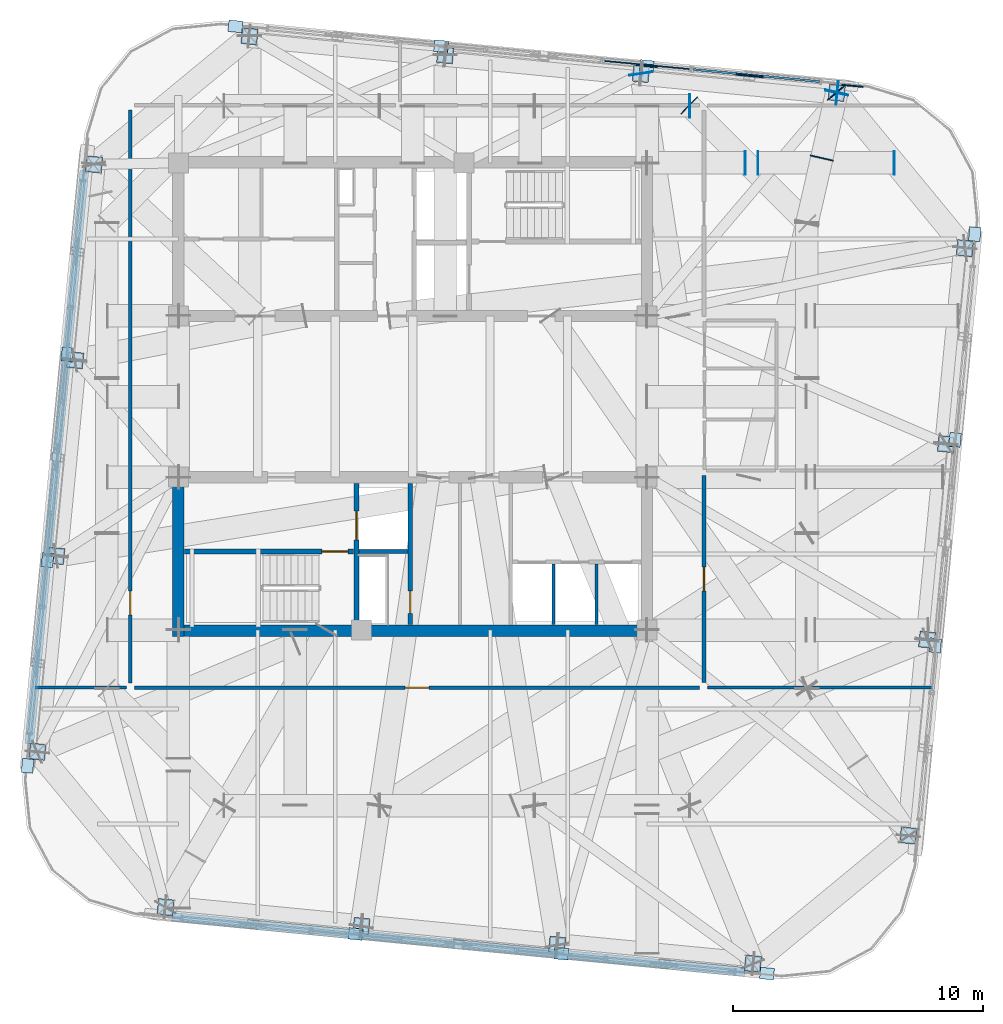
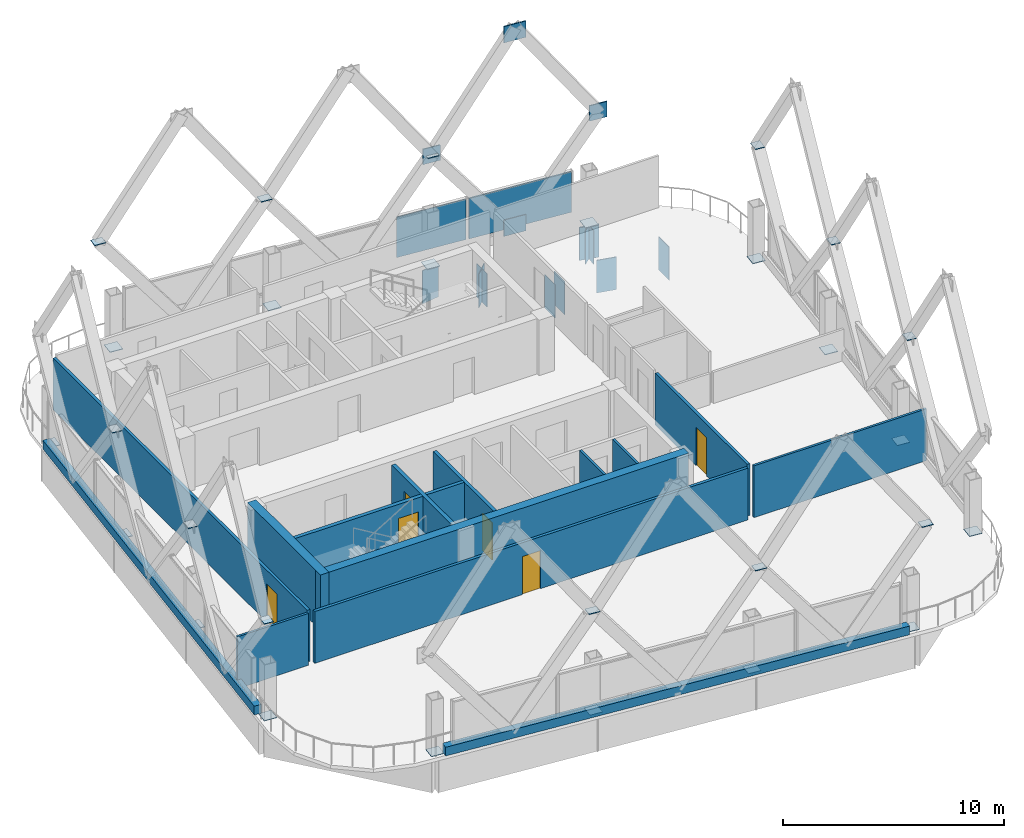
# One storey, part 25 of 31: 45 plates, 15 walls, 6 doors, 6 openings, 2 elements without a shape of their own.
"""IFC4 building model written with IfcOpenShell, lengths in metres."""

from ifc_helpers import new_model, si_unit, direction, frame, frame_2d, origin, origin_2d, place, context, subcontext, project, spatial, rectangle, extrude, material, layer, layer_set, type_object, element, fill, aggregate, save


model = new_model("IFC4")

# Units and contexts
model_context = context("Model", 3, precision=1e-05, world=origin(), true_north=direction((0.0, 1.0)))
body_context = subcontext(model_context, "Body", "Model", "MODEL_VIEW")
ifc_project = project(units=[si_unit("LENGTHUNIT", "METRE"), si_unit("AREAUNIT", "SQUARE_METRE"), si_unit("VOLUMEUNIT", "CUBIC_METRE"), si_unit("PLANEANGLEUNIT", "RADIAN"), si_unit("MASSUNIT", "GRAM", prefix="KILO")], contexts=[model_context])

# Site, building, storey
site_placement = place(None, origin())
site = spatial("IfcSite", under=ifc_project, at=site_placement, CompositionType="ELEMENT")
building_placement = place(site_placement, origin())
building = spatial("IfcBuilding", under=site, at=building_placement, Name="Qhalaya Broadcast Tower", CompositionType="ELEMENT")
storey_placement = place(building_placement, frame((0.0, 0.0, 242.85009765625)))
storey = spatial("IfcBuildingStorey", under=building, at=storey_placement, Name="L71", CompositionType="ELEMENT", Elevation=242.85009765625)

# Plates
ifc_material_1 = material(Name="Structural Steel ASTM A572 Grade 50", Category="steel")
ifc_layer_1 = layer(ifc_material_1, 0.054931640625, Name="Structural Steel ASTM A572 Grade 50")
ifc_layer_set_1 = layer_set([ifc_layer_1], Name="Structural Steel ASTM A572 Grade 50")
plate_type_1 = type_object("IfcPlateType", Name="Exoskeleton Diamond Node Gusset Plate NP-01", PredefinedType="USERDEFINED", material=ifc_layer_set_1)
for number, where, z_axis, x_axis, name in (
    (1, (13.478515625, 13.425537109375, 0.2099609375), (0.0, 0.0, 1.0), (0.995396198367, -0.09584575252, 0.0), "Exoskeleton Diamond Node B6-N1-BOT"),
    (2, (13.478515625, 13.425537109375, 10.8798828125), (0.0, 0.0, 1.0), (0.995396198367, -0.09584575252, 0.0), "Exoskeleton Diamond Node B6-N1-TOP"),
):
    element("IfcPlate", number, at=place(storey_placement, frame(where, z_axis=z_axis, x_axis=x_axis)), inside=storey, type_object=plate_type_1, Name=name, ObjectType="GUSSET_PLATE", PredefinedType="USERDEFINED", context=body_context, shape_type="SweptSolid", body=[
        extrude(rectangle(XDim=1.10009765625, YDim=0.054931640625, at=origin_2d()), origin(), (0.0, 0.0, 1.0), 0.89990234375),
    ])
for number, where, z_axis, x_axis, name in (
    (3, (17.5927734375, 13.029296875, 5.329833984375), (0.0, 0.0, 1.0), (0.995396198367, -0.09584575252, 0.0), "Exoskeleton Diamond Node B6-N1-MDL"),
    (4, (9.3642578125, 13.82177734375, 5.329833984375), (0.0, 0.0, 1.0), (0.995396198367, -0.09584575252, 0.0), "Exoskeleton Diamond Node B6-N2-MDL"),
):
    element("IfcPlate", number, at=place(storey_placement, frame(where, z_axis=z_axis, x_axis=x_axis)), inside=storey, type_object=plate_type_1, Name=name, ObjectType="GUSSET_PLATE", PredefinedType="USERDEFINED", context=body_context, shape_type="SweptSolid", body=[
        extrude(rectangle(XDim=0.85009765625, YDim=0.054931640625, at=origin_2d()), origin(), (0.0, 0.0, 1.0), 0.85009765625),
    ])
ifc_layer_2 = layer(ifc_material_1, 0.4599609375, Name="Structural Steel ASTM A572 Grade 50")
ifc_layer_set_2 = layer_set([ifc_layer_2], Name="Structural Steel ASTM A572 Grade 50")
plate_type_2 = type_object("IfcPlateType", Name="Hollow Box Member End Cap Plate CP-01", PredefinedType="USERDEFINED", material=ifc_layer_set_2)
for number, where, z_axis, x_axis, name in (
    (5, (16.952880859375, 12.7607421875, -2.01025390625), (0.0, 0.0, 1.0), (-0.771624583388, -0.636078220278, 0.0), "L71 Hollow Girder End Cap L71-SPR-08-B"),
    (6, (16.97900390625, 12.7470703125, -2.01025390625), (0.0, 0.0, 1.0), (-0.095828379565, -0.99539787104, 0.0), "L71 Hollow Girder End Cap L71-SPR-09-A"),
    (7, (11.05859375, 12.2412109375, -2.01025390625), (0.0, 0.0, 1.0), (-0.707106781187, -0.707106781187, 0.0), "L71 Hollow Girder End Cap L71-TGL-08-B"),
    (8, (11.0859375, 12.22998046875, -2.01025390625), (0.0, 0.0, 1.0), (0.0, -1.0, 0.0), "L71 Hollow Girder End Cap L71-TGL-09-A"),
    (9, (13.309326171875, 9.949951171875, -2.01025390625), (0.0, 0.0, 1.0), (0.0, 1.0, 0.0), "L71 Hollow Girder End Cap L71-TGIY4E-1-B"),
    (10, (16.966552734375, 12.76416015625, -2.01025390625), (0.0, 0.0, 1.0), (-0.974850733991, 0.222858803812, 0.0), "L71 Hollow Girder End Cap L71-TGC-09-B"),
):
    element("IfcPlate", number, at=place(storey_placement, frame(where, z_axis=z_axis, x_axis=x_axis)), inside=storey, type_object=plate_type_2, Name=name, ObjectType="COVER_PLATE", PredefinedType="USERDEFINED", context=body_context, shape_type="SweptSolid", body=[
        extrude(rectangle(XDim=0.93994140625, YDim=0.031982421875, at=origin_2d()), origin(), (0.0, 0.0, 1.0), 1.840087890625),
    ])
plate_1_placement = place(storey_placement, frame((16.962890625, 12.74853515625, -1.990234375), z_axis=(0.0, 0.0, 1.0), x_axis=(-0.974850733991, 0.222858803812, 0.0)))
element("IfcPlate", 11, at=plate_1_placement, inside=storey, type_object=plate_type_2, Name="L71 Transfer Box End Cap 09", ObjectType="COVER_PLATE", PredefinedType="USERDEFINED", context=body_context, shape_type="SweptSolid", body=[
    extrude(rectangle(XDim=0.919921875, YDim=0.035888671875, at=origin_2d()), origin(), (0.0, 0.0, 1.0), 1.800048828125),
])
for number, where, z_axis, x_axis, name in (
    (12, (9.130126953125, 13.518310546875, -2.01025390625), (0.0, 0.0, 1.0), (-0.988609755291, -0.150501666909, 0.0), "L71 Hollow Girder End Cap L71-TGA-10-B"),
    (13, (13.814697265625, 9.949951171875, -2.01025390625), (0.0, 0.0, 1.0), (0.0, 1.0, 0.0), "L71 Hollow Girder End Cap L71-PGYE4-OV1-A"),
    (14, (19.260009765625, 9.949951171875, -2.01025390625), (0.0, 0.0, 1.0), (0.0, 1.0, 0.0), "L71 Hollow Girder End Cap L71-PGYE4-OV1-B"),
):
    element("IfcPlate", number, at=place(storey_placement, frame(where, z_axis=z_axis, x_axis=x_axis)), inside=storey, type_object=plate_type_2, Name=name, ObjectType="COVER_PLATE", PredefinedType="USERDEFINED", context=body_context, shape_type="SweptSolid", body=[
        extrude(rectangle(XDim=0.93994140625, YDim=0.031982421875, at=origin_2d()), origin(), (0.0, 0.0, 1.0), 1.840087890625),
    ])
for number, where, z_axis, x_axis, name in (
    (15, (-9.883056640625, -19.82861328125, -0.0322265625), (0.0, 0.0, 1.0), (0.995396198367, -0.09584575252, 0.0), "L71 Hollow Box Column Base Cap Plate COL-EX01"),
    (16, (-2.052490234375, -20.58251953125, -0.0322265625), (0.0, 0.0, 1.0), (0.995396198367, -0.09584575252, 0.0), "L71 Hollow Box Column Base Cap Plate COL-EX02"),
    (17, (5.77783203125, -21.33642578125, -0.0322265625), (0.0, 0.0, 1.0), (0.995396198367, -0.09584575252, 0.0), "L71 Hollow Box Column Base Cap Plate COL-EX03"),
    (18, (13.6083984375, -22.09033203125, -0.0322265625), (0.0, 0.0, 1.0), (0.995396198367, -0.09584575252, 0.0), "L71 Hollow Box Column Base Cap Plate COL-EX04"),
    (19, (19.82861328125, -16.962890625, -0.0322265625), (0.0, 0.0, 1.0), (0.09584575252, 0.995396198367, 0.0), "L71 Hollow Box Column Base Cap Plate COL-EX05"),
    (20, (20.58251953125, -9.132568359375, -0.0322265625), (0.0, 0.0, 1.0), (0.09584575252, 0.995396198367, 0.0), "L71 Hollow Box Column Base Cap Plate COL-EX06"),
    (21, (21.33642578125, -1.302001953125, -0.0322265625), (0.0, 0.0, 1.0), (0.09584575252, 0.995396198367, 0.0), "L71 Hollow Box Column Base Cap Plate COL-EX07"),
    (22, (22.09033203125, 6.5283203125, -0.0322265625), (0.0, 0.0, 1.0), (0.09584575252, 0.995396198367, 0.0), "L71 Hollow Box Column Base Cap Plate COL-EX08"),
    (23, (16.962890625, 12.74853515625, -0.0322265625), (0.0, 0.0, 1.0), (0.995396198367, -0.09584575252, 0.0), "L71 Hollow Box Column Base Cap Plate COL-EX09"),
    (24, (9.132568359375, 13.50244140625, -0.0322265625), (0.0, 0.0, 1.0), (0.995396198367, -0.09584575252, 0.0), "L71 Hollow Box Column Base Cap Plate COL-EX10"),
    (25, (1.302001953125, 14.25634765625, -0.0322265625), (0.0, 0.0, 1.0), (0.995396198367, -0.09584575252, 0.0), "L71 Hollow Box Column Base Cap Plate COL-EX11"),
    (26, (-6.5283203125, 15.010498046875, -0.0322265625), (0.0, 0.0, 1.0), (0.995396198367, -0.09584575252, 0.0), "L71 Hollow Box Column Base Cap Plate COL-EX12"),
    (27, (-12.74853515625, 9.883056640625, -0.0322265625), (0.0, 0.0, 1.0), (0.09584575252, 0.995396198367, 0.0), "L71 Hollow Box Column Base Cap Plate COL-EX13"),
    (28, (-13.50244140625, 2.052490234375, -0.0322265625), (0.0, 0.0, 1.0), (0.09584575252, 0.995396198367, 0.0), "L71 Hollow Box Column Base Cap Plate COL-EX14"),
    (29, (-14.25634765625, -5.77783203125, -0.0322265625), (0.0, 0.0, 1.0), (0.09584575252, 0.995396198367, 0.0), "L71 Hollow Box Column Base Cap Plate COL-EX15"),
    (30, (-15.010498046875, -13.6083984375, -0.0322265625), (0.0, 0.0, 1.0), (0.09584575252, 0.995396198367, 0.0), "L71 Hollow Box Column Base Cap Plate COL-EX16"),
):
    element("IfcPlate", number, at=place(storey_placement, frame(where, z_axis=z_axis, x_axis=x_axis)), inside=storey, type_object=plate_type_2, Name=name, ObjectType="COVER_PLATE", PredefinedType="USERDEFINED", context=body_context, shape_type="SweptSolid", body=[
        extrude(rectangle(XDim=0.639892578125, YDim=0.639892578125, at=origin_2d()), origin(), (0.0, 0.0, 1.0), 0.031982421875),
    ])
for number, where, z_axis, x_axis, name in (
    (31, (-2.2841796875, -20.901611328125, 5.73876953125), (0.0, 0.0, 1.0), (0.995396198367, -0.09584575252, 0.0), "Exoskeleton Hollow End Cap B6-S1"),
    (32, (5.9443359375, -21.694091796875, 5.73876953125), (0.0, 0.0, 1.0), (0.995396198367, -0.09584575252, 0.0), "Exoskeleton Hollow End Cap B6-S2"),
    (33, (14.173095703125, -22.486328125, 5.73876953125), (0.0, 0.0, 1.0), (0.995396198367, -0.09584575252, 0.0), "Exoskeleton Hollow End Cap B6-S3"),
    (34, (20.901611328125, -9.3642578125, 5.73876953125), (0.0, 0.0, 1.0), (0.09584575252, 0.995396198367, 0.0), "Exoskeleton Hollow End Cap B6-E1"),
    (35, (21.694091796875, -1.135498046875, 5.73876953125), (0.0, 0.0, 1.0), (0.09584575252, 0.995396198367, 0.0), "Exoskeleton Hollow End Cap B6-E2"),
    (36, (22.486328125, 7.093017578125, 5.73876953125), (0.0, 0.0, 1.0), (0.09584575252, 0.995396198367, 0.0), "Exoskeleton Hollow End Cap B6-E3"),
    (37, (9.3642578125, 13.82177734375, 5.73876953125), (0.0, 0.0, 1.0), (0.995396198367, -0.09584575252, 0.0), "Exoskeleton Hollow End Cap B6-N1"),
    (38, (1.135498046875, 14.614013671875, 5.73876953125), (0.0, 0.0, 1.0), (0.995396198367, -0.09584575252, 0.0), "Exoskeleton Hollow End Cap B6-N2"),
    (39, (-7.093017578125, 15.406494140625, 5.73876953125), (0.0, 0.0, 1.0), (0.995396198367, -0.09584575252, 0.0), "Exoskeleton Hollow End Cap B6-N3"),
    (40, (-13.82177734375, 2.2841796875, 5.73876953125), (0.0, 0.0, 1.0), (0.09584575252, 0.995396198367, 0.0), "Exoskeleton Hollow End Cap B6-W1"),
    (41, (-14.614013671875, -5.9443359375, 5.73876953125), (0.0, 0.0, 1.0), (0.09584575252, 0.995396198367, 0.0), "Exoskeleton Hollow End Cap B6-W2"),
    (42, (-15.406494140625, -14.173095703125, 5.73876953125), (0.0, 0.0, 1.0), (0.09584575252, 0.995396198367, 0.0), "Exoskeleton Hollow End Cap B6-W3"),
):
    element("IfcPlate", number, at=place(storey_placement, frame(where, z_axis=z_axis, x_axis=x_axis)), inside=storey, type_object=plate_type_2, Name=name, ObjectType="COVER_PLATE", PredefinedType="USERDEFINED", context=body_context, shape_type="SweptSolid", body=[
        extrude(rectangle(XDim=0.56005859375, YDim=0.4599609375, at=origin_2d()), origin(), (0.0, 0.0, 1.0), 0.031982421875),
    ])

# Curtain wall, plate
ifc_material_2 = material(Name="Fired Architectural Terracotta", Category="masonry")
ifc_layer_3 = layer(ifc_material_2, 0.219970703125, Name="Fired Architectural Terracotta")
ifc_layer_set_3 = layer_set([ifc_layer_3], Name="Fired Architectural Terracotta")
curtain_wall_type_1 = type_object("IfcCurtainWallType", Name="Block-Cap Unitised Terracotta Spandrel Wall CW-07", PredefinedType="NOTDEFINED", material=ifc_layer_set_3)
curtain_wall_1_placement = place(storey_placement, origin())
curtain_wall_1 = element("IfcCurtainWall", 43, at=curtain_wall_1_placement, inside=storey, type_object=curtain_wall_type_1, Name="L71 Unitised Curtain Wall L71-CW-N1", PredefinedType="NOTDEFINED")
ifc_layer_4 = layer(ifc_material_2, 0.080078125, Name="Fired Architectural Terracotta")
ifc_layer_set_4 = layer_set([ifc_layer_4], Name="Fired Architectural Terracotta")
plate_type_3 = type_object("IfcPlateType", Name="Insulated Terracotta Spandrel Panel TSP-07", PredefinedType="CURTAIN_PANEL", material=ifc_layer_set_4)
plate_2_placement = place(storey_placement, frame((13.75146484375, 13.439453125, 0.554931640625), z_axis=(0.0, 0.0, 1.0), x_axis=(-0.995395942778, 0.095848406879, 0.0)))
plate_2 = element("IfcPlate", 44, at=plate_2_placement, type_object=plate_type_3, Name="CW-07 panel 1.1", PredefinedType="CURTAIN_PANEL", context=body_context, shape_type="SweptSolid", body=[
    extrude(rectangle(XDim=5.075927734375, YDim=0.080078125, at=origin_2d()), origin(), (0.0, 0.0, 1.0), 2.22998046875),
])
aggregate(curtain_wall_1, [plate_2])

ifc_material_3 = material(Name="Solar-Control Low-E Triple Glazing", Category="glass")
ifc_layer_5 = layer(ifc_material_3, 0.219970703125, Name="Solar-Control Low-E Triple Glazing")
ifc_layer_set_5 = layer_set([ifc_layer_5], Name="Solar-Control Low-E Triple Glazing")
curtain_wall_type_2 = type_object("IfcCurtainWallType", Name="High-Altitude Upper-Shaft Triple Low-E Curtain Wall CW-04", PredefinedType="NOTDEFINED", material=ifc_layer_set_5)
curtain_wall_2_placement = place(storey_placement, origin())
curtain_wall_2 = element("IfcCurtainWall", 45, at=curtain_wall_2_placement, inside=storey, type_object=curtain_wall_type_2, Name="L71 Unitised Curtain Wall L71-CW-N2", PredefinedType="NOTDEFINED")
ifc_layer_6 = layer(ifc_material_3, 0.0419921875, Name="Solar-Control Low-E Triple Glazing")
ifc_layer_set_6 = layer_set([ifc_layer_6], Name="Solar-Control Low-E Triple Glazing")
plate_type_4 = type_object("IfcPlateType", Name="Solar-Control Curtain Glazing Panel GLP-04", PredefinedType="CURTAIN_PANEL", material=ifc_layer_set_6)
plate_3_placement = place(storey_placement, frame((9.3681640625, 13.861572265625, 0.554931640625), z_axis=(0.0, 0.0, 1.0), x_axis=(-0.995397049282, 0.095836915023, 0.0)))
plate_3 = element("IfcPlate", 46, at=plate_3_placement, type_object=plate_type_4, Name="CW-04 panel 1.1", PredefinedType="CURTAIN_PANEL", context=body_context, shape_type="SweptSolid", body=[
    extrude(rectangle(XDim=3.43115234375, YDim=0.0419921875, at=origin_2d()), origin(), (0.0, 0.0, 1.0), 2.22998046875),
])
aggregate(curtain_wall_2, [plate_3])

# Plate
ifc_layer_7 = layer(ifc_material_1, 0.044921875, Name="Structural Steel ASTM A572 Grade 50")
ifc_layer_set_7 = layer_set([ifc_layer_7], Name="Structural Steel ASTM A572 Grade 50")
plate_type_5 = type_object("IfcPlateType", Name="Transfer Girder Web Stiffener Plate WS-01", PredefinedType="USERDEFINED", material=ifc_layer_set_7)
plate_4_placement = place(storey_placement, frame((16.366455078125, 10.139404296875, -1.990234375), z_axis=(0.0, 0.0, 1.0), x_axis=(-0.974850733991, 0.222858803812, 0.0)))
element("IfcPlate", 47, at=plate_4_placement, inside=storey, type_object=plate_type_5, Name="L71 Transfer Girder Stiffener 09", ObjectType="STIFFENER_PLATE", PredefinedType="USERDEFINED", context=body_context, shape_type="SweptSolid", body=[
    extrude(rectangle(XDim=0.93994140625, YDim=0.044921875, at=origin_2d()), origin(), (0.0, 0.0, 1.0), 1.800048828125),
])

# Wall, opening, door
ifc_material_4 = material(Name="Gypsum Acoustic Partition")
ifc_layer_8 = layer(ifc_material_4, 0.14990234375, Name="Gypsum Acoustic Partition")
ifc_layer_set_8 = layer_set([ifc_layer_8], Name="Gypsum Acoustic Partition")
wall_type_1 = type_object("IfcWallType", Name="Corridor & Tenancy Acoustic Partition 150", PredefinedType="PARTITIONING", material=ifc_layer_set_8)
wall_1_placement = place(storey_placement, frame((-11.1201171875, -11.050048828125, 0.0), z_axis=(0.0, 0.0, 1.0), x_axis=(1.0, 0.0, 0.0)))
wall_1 = element("IfcWall", 48, at=wall_1_placement, inside=storey, type_object=wall_type_1, Name="L71 Partition Wall W-COR-03", PredefinedType="PARTITIONING", context=body_context, shape_type="SweptSolid", body=[
    extrude(rectangle(XDim=22.590087890625, YDim=0.14990234375, at=frame_2d((11.294921875, 0.0))), origin(), (0.0, 0.0, 1.0), 2.85986328125),
])
opening_1_placement = place(wall_1_placement, frame((10.820068359375, 0.0, 0.0)))
opening_1 = element("IfcOpeningElement", 49, at=opening_1_placement, cuts=wall_1, Name="Opening D10", PredefinedType="OPENING", context=body_context, shape_type="SweptSolid", body=[
    extrude(rectangle(XDim=0.949951171875, YDim=2.10009765625, at=frame_2d((0.47509765625, 1.050048828125))), frame((0.0, 0.0869140625, 0.0), z_axis=(0.0, -1.0, 0.0), x_axis=(1.0, 0.0, 0.0)), (0.0, 0.0, 1.0), 0.173828125),
])
ifc_material_5 = material(Name="Timber Veneer Acoustic Door", Category="wood")
door_type_1 = type_object("IfcDoorType", Name="Cellular Office & Edit Booth Door D10", OperationType="NOTDEFINED", PredefinedType="DOOR", material=ifc_material_5)
door_1_placement = place(opening_1_placement, origin())
door_1 = element("IfcDoor", 50, at=door_1_placement, inside=storey, type_object=door_type_1, Name="L71 Door D-RM03", OperationType="SINGLE_SWING_LEFT", OverallHeight=2.10009765625, OverallWidth=0.949951171875, PredefinedType="DOOR", context=body_context, shape_type="SweptSolid", body=[
    extrude(rectangle(XDim=0.949951171875, YDim=2.10009765625, at=frame_2d((0.47509765625, 1.050048828125))), frame((0.0, 0.02490234375, 0.0), z_axis=(0.0, -1.0, 0.0), x_axis=(1.0, 0.0, 0.0)), (0.0, 0.0, 1.0), 0.050048828125),
])
fill(opening_1, door_1)

wall_2_placement = place(storey_placement, frame((-11.300048828125, 12.070068359375, 0.0), z_axis=(0.0, 0.0, 1.0), x_axis=(0.0, -1.0, 0.0)))
wall_2 = element("IfcWall", 51, at=wall_2_placement, inside=storey, type_object=wall_type_1, Name="L71 Partition Wall W-COR-04", PredefinedType="PARTITIONING", context=body_context, shape_type="SweptSolid", body=[
    extrude(rectangle(XDim=22.940185546875, YDim=0.14990234375, at=frame_2d((11.47021484375, 0.0))), origin(), (0.0, 0.0, 1.0), 2.85986328125),
])
opening_2_placement = place(wall_2_placement, frame((19.2529296875, 0.0, 0.0)))
opening_2 = element("IfcOpeningElement", 52, at=opening_2_placement, cuts=wall_2, Name="Opening D10", PredefinedType="OPENING", context=body_context, shape_type="SweptSolid", body=[
    extrude(rectangle(XDim=0.949951171875, YDim=2.10009765625, at=frame_2d((0.47509765625, 1.050048828125))), frame((0.0, 0.0869140625, 0.0), z_axis=(0.0, -1.0, 0.0), x_axis=(1.0, 0.0, 0.0)), (0.0, 0.0, 1.0), 0.173828125),
])
door_2_placement = place(opening_2_placement, origin())
door_2 = element("IfcDoor", 53, at=door_2_placement, inside=storey, type_object=door_type_1, Name="L71 Door D-RM04", OperationType="SINGLE_SWING_RIGHT", OverallHeight=2.10009765625, OverallWidth=0.949951171875, PredefinedType="DOOR", context=body_context, shape_type="SweptSolid", body=[
    extrude(rectangle(XDim=0.949951171875, YDim=2.10009765625, at=frame_2d((0.47509765625, 1.050048828125))), frame((0.0, 0.02490234375, 0.0), z_axis=(0.0, -1.0, 0.0), x_axis=(1.0, 0.0, 0.0)), (0.0, 0.0, 1.0), 0.050048828125),
])
fill(opening_2, door_2)

wall_3_placement = place(storey_placement, frame((11.64990234375, -10.85009765625, 0.0), z_axis=(0.0, 0.0, 1.0), x_axis=(0.0, 1.0, 0.0)))
wall_3 = element("IfcWall", 54, at=wall_3_placement, inside=storey, type_object=wall_type_1, Name="L71 Partition Wall W-COR-05", PredefinedType="PARTITIONING", context=body_context, shape_type="SweptSolid", body=[
    extrude(rectangle(XDim=8.2900390625, YDim=0.14990234375, at=frame_2d((4.14501953125, 0.0))), origin(), (0.0, 0.0, 1.0), 2.85986328125),
])
opening_3_placement = place(wall_3_placement, frame((3.669921875, 0.0, 0.0)))
opening_3 = element("IfcOpeningElement", 55, at=opening_3_placement, cuts=wall_3, Name="Opening D10", PredefinedType="OPENING", context=body_context, shape_type="SweptSolid", body=[
    extrude(rectangle(XDim=0.949951171875, YDim=2.10009765625, at=frame_2d((0.47509765625, 1.050048828125))), frame((0.0, 0.0869140625, 0.0), z_axis=(0.0, -1.0, 0.0), x_axis=(1.0, 0.0, 0.0)), (0.0, 0.0, 1.0), 0.173828125),
])
door_3_placement = place(opening_3_placement, origin())
door_3 = element("IfcDoor", 56, at=door_3_placement, inside=storey, type_object=door_type_1, Name="L71 Door D-RM05", OperationType="SINGLE_SWING_LEFT", OverallHeight=2.10009765625, OverallWidth=0.949951171875, PredefinedType="DOOR", context=body_context, shape_type="SweptSolid", body=[
    extrude(rectangle(XDim=0.949951171875, YDim=2.10009765625, at=frame_2d((0.47509765625, 1.050048828125))), frame((0.0, 0.02490234375, 0.0), z_axis=(0.0, -1.0, 0.0), x_axis=(1.0, 0.0, 0.0)), (0.0, 0.0, 1.0), 0.050048828125),
])
fill(opening_3, door_3)

# Walls
ifc_material_6 = material(Name="Precast Concrete C40/50", Category="concrete")
ifc_layer_9 = layer(ifc_material_6, 0.360107421875, Name="Precast Concrete C40/50")
ifc_layer_set_9 = layer_set([ifc_layer_9], Name="Precast Concrete C40/50")
wall_type_2 = type_object("IfcWallType", Name="Insulated Precast Terracotta Exterior Wall 360", PredefinedType="SOLIDWALL", material=ifc_layer_set_9)
for number, where, z_axis, x_axis, name in (
    (57, (13.287109375, -22.421142578125, 0.0), (0.0, 0.0, 1.0), (-0.995396042099, 0.095847375411, 0.0), "L71 Cantilever Block Sill Spandrel S"),
    (58, (-15.34130859375, -13.287109375, 0.0), (0.0, 0.0, 1.0), (0.095847375411, 0.995396042099, 0.0), "L71 Cantilever Block Sill Spandrel W"),
):
    element("IfcWall", number, at=place(storey_placement, frame(where, z_axis=z_axis, x_axis=x_axis)), inside=storey, type_object=wall_type_2, Name=name, PredefinedType="SOLIDWALL", context=body_context, shape_type="SweptSolid", body=[
        extrude(rectangle(XDim=23.02392578125, YDim=0.360107421875, at=frame_2d((11.511962890625, 0.0))), origin(), (0.0, 0.0, 1.0), 0.47998046875),
    ])

# Wall, opening, door
ifc_material_7 = material(Name="Concrete C50/60", Category="concrete")
ifc_layer_10 = layer(ifc_material_7, 0.199951171875, Name="Concrete C50/60")
ifc_layer_set_10 = layer_set([ifc_layer_10], Name="Concrete C50/60")
wall_type_3 = type_object("IfcWallType", Name="Load-Bearing Stair Shaft Wall 200", PredefinedType="SHEAR", material=ifc_layer_set_10)
wall_4_placement = place(storey_placement, frame((-9.1298828125, -5.60498046875, 0.0), z_axis=(0.0, 0.0, 1.0), x_axis=(1.0, 0.0, 0.0)))
wall_4 = element("IfcWall", 59, at=wall_4_placement, inside=storey, type_object=wall_type_3, Name="L71 Stair Core Shear Wall SCW-ST2", PredefinedType="SHEAR", context=body_context, shape_type="SweptSolid", body=[
    extrude(rectangle(XDim=6.769775390625, YDim=0.199951171875, at=frame_2d((3.384765625, 0.0))), origin(), (0.0, 0.0, 1.0), 2.85986328125),
])
opening_4_placement = place(wall_4_placement, frame((5.5, 0.0, 0.0)))
opening_4 = element("IfcOpeningElement", 60, at=opening_4_placement, cuts=wall_4, Name="Opening D03", PredefinedType="OPENING", context=body_context, shape_type="SweptSolid", body=[
    extrude(rectangle(XDim=1.050048828125, YDim=2.080078125, at=frame_2d((0.52490234375, 1.0400390625))), frame((0.0, 0.112060546875, 0.0), z_axis=(0.0, -1.0, 0.0), x_axis=(1.0, 0.0, 0.0)), (0.0, 0.0, 1.0), 0.223876953125),
])
ifc_material_8 = material(Name="Fire-Rated Steel Door", Category="steel")
door_type_2 = type_object("IfcDoorType", Name="Core Stair Protected Fire Door D03", OperationType="NOTDEFINED", PredefinedType="DOOR", material=ifc_material_8)
door_4_placement = place(opening_4_placement, origin())
door_4 = element("IfcDoor", 61, at=door_4_placement, inside=storey, type_object=door_type_2, Name="L71 Door D-SST2", OperationType="SINGLE_SWING_RIGHT", OverallHeight=2.080078125, OverallWidth=1.050048828125, PredefinedType="DOOR", context=body_context, shape_type="SweptSolid", body=[
    extrude(rectangle(XDim=1.050048828125, YDim=2.080078125, at=frame_2d((0.52490234375, 1.0400390625))), frame((0.0, 0.02490234375, 0.0), z_axis=(0.0, -1.0, 0.0), x_axis=(1.0, 0.0, 0.0)), (0.0, 0.0, 1.0), 0.050048828125),
])
fill(opening_4, door_4)

wall_5_placement = place(storey_placement, frame((-2.25, -8.530029296875, 0.0), z_axis=(0.0, 0.0, 1.0), x_axis=(0.0, 1.0, 0.0)))
wall_5 = element("IfcWall", 62, at=wall_5_placement, inside=storey, type_object=wall_type_3, Name="L71 Stair Core Shear Wall SCW-FF", PredefinedType="SHEAR", context=body_context, shape_type="SweptSolid", body=[
    extrude(rectangle(XDim=5.659912109375, YDim=0.199951171875, at=frame_2d((2.830078125, 0.0))), origin(), (0.0, 0.0, 1.0), 2.85986328125),
])
opening_5_placement = place(wall_5_placement, frame((3.39990234375, 0.0, 0.0)))
opening_5 = element("IfcOpeningElement", 63, at=opening_5_placement, cuts=wall_5, Name="Opening LD2", PredefinedType="OPENING", context=body_context, shape_type="SweptSolid", body=[
    extrude(rectangle(XDim=1.14990234375, YDim=2.080078125, at=frame_2d((0.574951171875, 1.0400390625))), frame((0.0, 0.112060546875, 0.0), z_axis=(0.0, -1.0, 0.0), x_axis=(1.0, 0.0, 0.0)), (0.0, 0.0, 1.0), 0.223876953125),
])
ifc_material_9 = material(Name="Brushed Stainless Steel Lift Door", Category="steel")
door_type_3 = type_object("IfcDoorType", Name="Firefighting Lift Sliding Landing Door LD2", OperationType="DOUBLE_DOOR_SLIDING", PredefinedType="DOOR", material=ifc_material_9)
door_5_placement = place(opening_5_placement, origin())
door_5 = element("IfcDoor", 64, at=door_5_placement, inside=storey, type_object=door_type_3, Name="L71 Door LD-FF2", OperationType="DOUBLE_DOOR_SLIDING", OverallHeight=2.080078125, OverallWidth=1.14990234375, PredefinedType="DOOR", context=body_context, shape_type="SweptSolid", body=[
    extrude(rectangle(XDim=1.14990234375, YDim=2.080078125, at=frame_2d((0.574951171875, 1.0400390625))), frame((0.0, 0.02490234375, 0.0), z_axis=(0.0, -1.0, 0.0), x_axis=(1.0, 0.0, 0.0)), (0.0, 0.0, 1.0), 0.050048828125),
])
fill(opening_5, door_5)

# Walls
ifc_layer_11 = layer(ifc_material_4, 0.1201171875, Name="Gypsum Acoustic Partition")
ifc_layer_set_11 = layer_set([ifc_layer_11], Name="Gypsum Acoustic Partition")
wall_type_4 = type_object("IfcWallType", Name="Office, Booth & Sanitary Partition 120", PredefinedType="PARTITIONING", material=ifc_layer_set_11)
for number, where, z_axis, x_axis, name in (
    (65, (5.639892578125, -8.530029296875, 0.0), (0.0, 0.0, 1.0), (0.0, 1.0, 0.0), "L71 Partition Wall SCW-HD6"),
    (66, (7.360107421875, -8.530029296875, 0.0), (0.0, 0.0, 1.0), (0.0, 1.0, 0.0), "L71 Partition Wall SCW-HD7"),
):
    element("IfcWall", number, at=place(storey_placement, frame(where, z_axis=z_axis, x_axis=x_axis)), inside=storey, type_object=wall_type_4, Name=name, PredefinedType="PARTITIONING", context=body_context, shape_type="SweptSolid", body=[
        extrude(rectangle(XDim=2.429931640625, YDim=0.1201171875, at=frame_2d((1.21484375, 0.0))), origin(), (0.0, 0.0, 1.0), 2.85986328125),
    ])
wall_6_placement = place(storey_placement, frame((-15.145751953125, -11.050048828125, 0.0), z_axis=(0.0, 0.0, 1.0), x_axis=(1.0, 0.0, 0.0)))
element("IfcWall", 67, at=wall_6_placement, inside=storey, type_object=wall_type_4, Name="L71 Partition Wall W-BNDW2", PredefinedType="PARTITIONING", context=body_context, shape_type="SweptSolid", body=[
    extrude(rectangle(XDim=3.705810546875, YDim=0.1201171875, at=frame_2d((1.85302734375, 0.0))), origin(), (0.0, 0.0, 1.0), 2.85986328125),
])
wall_7_placement = place(storey_placement, frame((11.7900390625, -11.050048828125, 0.0), z_axis=(0.0, 0.0, 1.0), x_axis=(1.0, 0.0, 0.0)))
element("IfcWall", 68, at=wall_7_placement, inside=storey, type_object=wall_type_4, Name="L71 Partition Wall W-BNDE2", PredefinedType="PARTITIONING", context=body_context, shape_type="SweptSolid", body=[
    extrude(rectangle(XDim=8.989501953125, YDim=0.1201171875, at=frame_2d((4.49462890625, 0.0))), origin(), (0.0, 0.0, 1.0), 2.85986328125),
])

# Wall, opening, door
ifc_layer_12 = layer(ifc_material_4, 0.175048828125, Name="Gypsum Acoustic Partition")
ifc_layer_set_12 = layer_set([ifc_layer_12], Name="Gypsum Acoustic Partition")
wall_type_5 = type_object("IfcWallType", Name="Shaft & Riser Fire Partition 175", PredefinedType="PARTITIONING", material=ifc_layer_set_12)
wall_8_placement = place(storey_placement, frame((-0.10009765625, -8.530029296875, 0.0), z_axis=(0.0, 0.0, 1.0), x_axis=(0.0, 1.0, 0.0)))
wall_8 = element("IfcWall", 69, at=wall_8_placement, inside=storey, type_object=wall_type_5, Name="L71 Partition Wall SCW-FFE", PredefinedType="PARTITIONING", context=body_context, shape_type="SweptSolid", body=[
    extrude(rectangle(XDim=5.659912109375, YDim=0.175048828125, at=frame_2d((2.830078125, 0.0))), origin(), (0.0, 0.0, 1.0), 2.85986328125),
])
opening_6_placement = place(wall_8_placement, frame((0.449951171875, 0.0, 0.0)))
opening_6 = element("IfcOpeningElement", 70, at=opening_6_placement, cuts=wall_8, Name="Opening D06", PredefinedType="OPENING", context=body_context, shape_type="SweptSolid", body=[
    extrude(rectangle(XDim=0.89990234375, YDim=2.050048828125, at=frame_2d((0.449951171875, 1.02490234375))), frame((0.0, 0.099609375, 0.0), z_axis=(0.0, -1.0, 0.0), x_axis=(1.0, 0.0, 0.0)), (0.0, 0.0, 1.0), 0.198974609375),
])
door_type_4 = type_object("IfcDoorType", Name="Riser & Electrical Shaft Access Door D06", OperationType="NOTDEFINED", PredefinedType="DOOR", material=ifc_material_8)
door_6_placement = place(opening_6_placement, origin())
door_6 = element("IfcDoor", 71, at=door_6_placement, inside=storey, type_object=door_type_4, Name="L71 Riser Shaft Access Door D-SRSR", OperationType="SINGLE_SWING_LEFT", OverallHeight=2.050048828125, OverallWidth=0.89990234375, PredefinedType="DOOR", context=body_context, shape_type="SweptSolid", body=[
    extrude(rectangle(XDim=0.89990234375, YDim=2.050048828125, at=frame_2d((0.449951171875, 1.02490234375))), frame((0.0, 0.02490234375, 0.0), z_axis=(0.0, -1.0, 0.0), x_axis=(1.0, 0.0, 0.0)), (0.0, 0.0, 1.0), 0.050048828125),
])
fill(opening_6, door_6)

# Walls
wall_9_placement = place(storey_placement, frame((-2.14990234375, -5.60009765625, 0.0), z_axis=(0.0, 0.0, 1.0), x_axis=(1.0, 0.0, 0.0)))
element("IfcWall", 72, at=wall_9_placement, inside=storey, type_object=wall_type_5, Name="L71 Partition Wall SCW-FFM", PredefinedType="PARTITIONING", context=body_context, shape_type="SweptSolid", body=[
    extrude(rectangle(XDim=1.969970703125, YDim=0.175048828125, at=frame_2d((0.98486328125, 0.0))), origin(), (0.0, 0.0, 1.0), 2.85986328125),
])
ifc_layer_13 = layer(ifc_material_7, 0.449951171875, Name="Concrete C50/60")
ifc_layer_set_13 = layer_set([ifc_layer_13], Name="Concrete C50/60")
wall_type_6 = type_object("IfcWallType", Name="Upper Split-Core Shear Wall 450", PredefinedType="SHEAR", material=ifc_layer_set_13)
wall_10_placement = place(storey_placement, frame((-9.60009765625, -8.77490234375, 0.0), z_axis=(0.0, 0.0, 1.0), x_axis=(1.0, 0.0, 0.0)))
element("IfcWall", 73, at=wall_10_placement, inside=storey, type_object=wall_type_6, Name="L71 Split-Core Shear Wall CW-SS", PredefinedType="SHEAR", context=body_context, shape_type="SweptSolid", body=[
    extrude(rectangle(XDim=19.2001953125, YDim=0.449951171875, at=frame_2d((9.60009765625, 0.0))), origin(), (0.0, 0.0, 1.0), 3.0498046875),
])
wall_11_placement = place(storey_placement, frame((-9.375, -9.0, 0.0), z_axis=(0.0, 0.0, 1.0), x_axis=(0.0, 1.0, 0.0)))
element("IfcWall", 74, at=wall_11_placement, inside=storey, type_object=wall_type_6, Name="L71 Split-Core Shear Wall CW-SW", PredefinedType="SHEAR", context=body_context, shape_type="SweptSolid", body=[
    extrude(rectangle(XDim=6.60009765625, YDim=0.449951171875, at=frame_2d((3.300048828125, 0.0))), origin(), (0.0, 0.0, 1.0), 3.0498046875),
])

save(model, "model.ifc")
